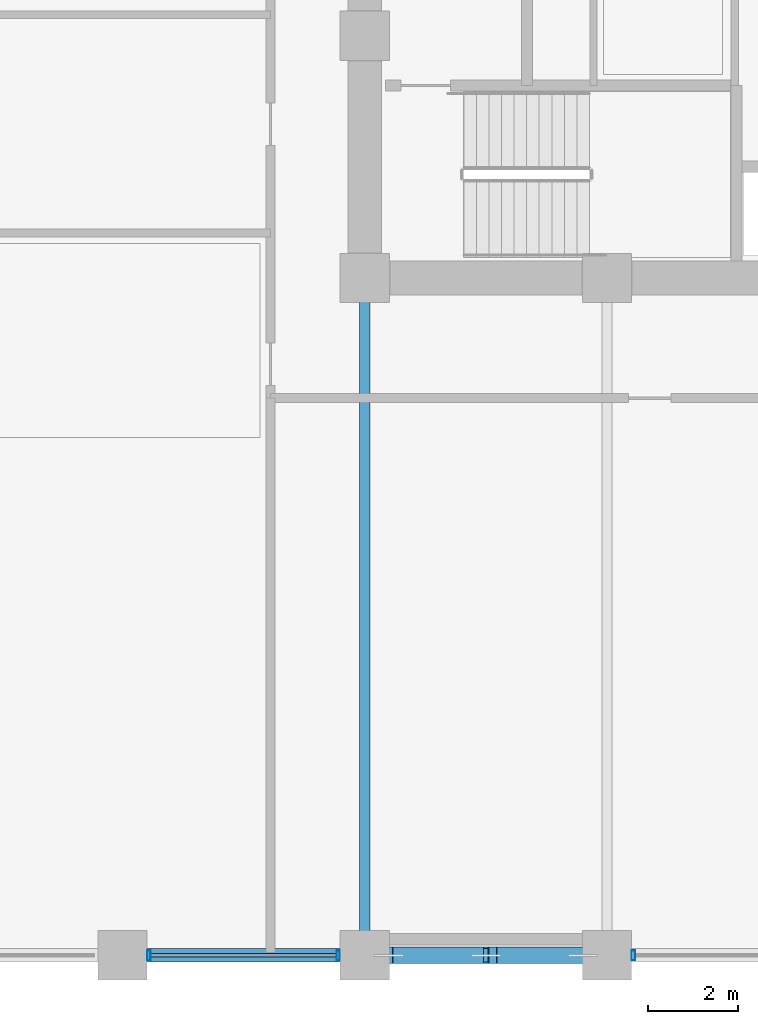
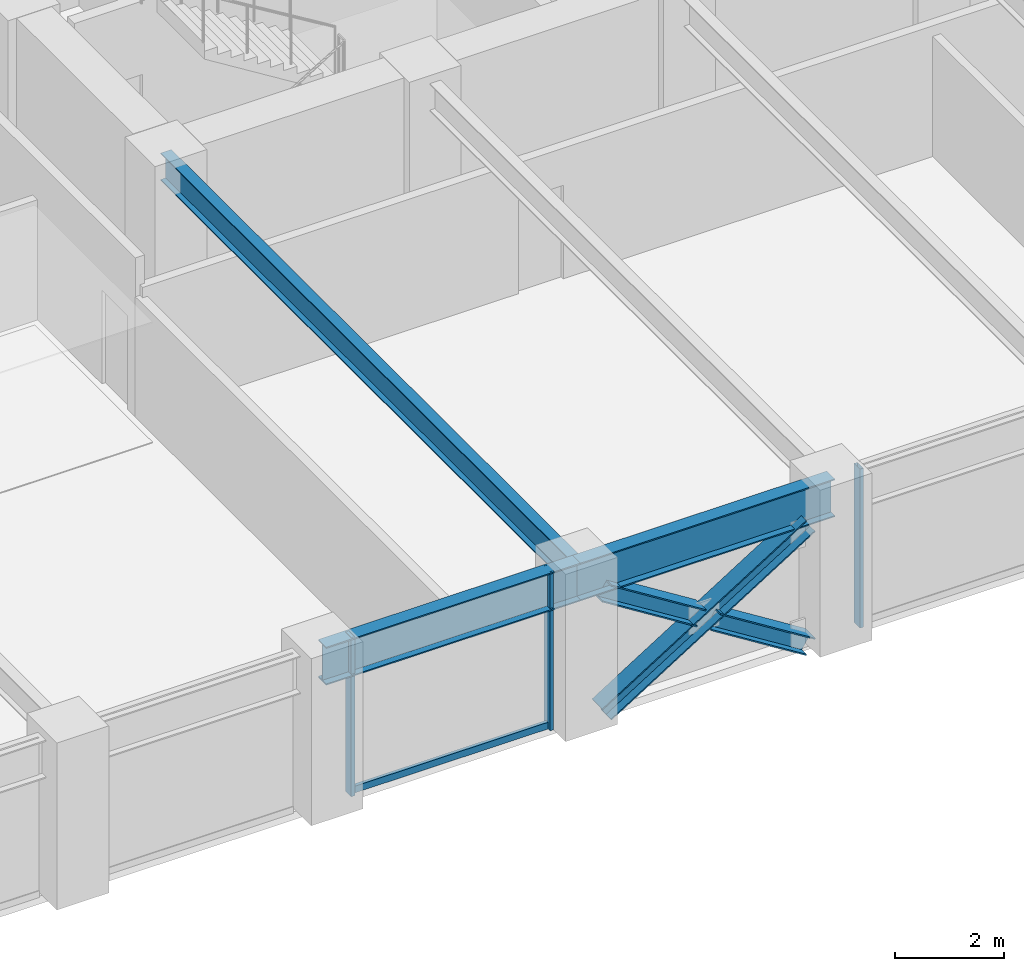
# One storey, part 4 of 25: 7 members, 3 beams, 2 elements without a shape of their own.
"""IFC4 building model written with IfcOpenShell, lengths in metres."""

import ifcopenshell
import ifcopenshell.guid

model = None  # the IFC model being written
_history = None  # IfcOwnerHistory: only IFC2X3 demands one
_inside = {}  # id of a spatial element -> (the spatial element, [elements in it])
_under = {}  # id of a project, library or spatial element -> (it, [spatial elements below it])
_declared = {}  # id of a project -> (the project, [libraries it declares])
_typed = {}  # id of a type object -> (the type object, [elements of that type])
_made_of = {}  # id of a material, layer set ... -> (it, [elements and type objects made of it])


def new_model(schema):
    """Start an empty IFC model of exactly this schema.

    Asked for "IFC4X3", IfcOpenShell would pick the latest addendum, in which some entities
    have other attributes; the version numbers below select the first issue.
    IFC2X3 requires an IfcOwnerHistory on every rooted entity: one is made here for all.
    """
    global model, _history
    if schema == "IFC4X3":
        model = ifcopenshell.file(schema_version=(4, 3, 0, 0))
    else:
        model = ifcopenshell.file(schema=schema)
    _inside.clear()
    _under.clear()
    _declared.clear()
    _typed.clear()
    _made_of.clear()
    _history = None
    if model.schema == "IFC2X3":
        org = make("IfcOrganization", Name="unknown")
        user = make(
            "IfcPersonAndOrganization",
            ThePerson=make("IfcPerson", FamilyName="unknown"),
            TheOrganization=org,
        )
        app = make(
            "IfcApplication",
            ApplicationDeveloper=org,
            Version="unknown",
            ApplicationFullName="unknown",
            ApplicationIdentifier="unknown",
        )
        _history = make(
            "IfcOwnerHistory",
            OwningUser=user,
            OwningApplication=app,
            ChangeAction="ADDED",
            CreationDate=0,
        )
    return model


def make(cls, **values):
    """One entity of the class cls with the attributes given. An attribute that is None is left unset."""
    return model.create_entity(
        cls, **{name: value for name, value in values.items() if value is not None}
    )


def rooted(cls, **values):
    """An entity with a GlobalId (a new one), such as an element, a storey or a relation."""
    return make(cls, GlobalId=ifcopenshell.guid.new(), OwnerHistory=_history, **values)


def si_unit(unit_type, name, prefix=None):
    """IfcSIUnit, for example si_unit("LENGTHUNIT", "METRE", prefix="MILLI")."""
    return make("IfcSIUnit", UnitType=unit_type, Prefix=prefix, Name=name)


def assignment(units):
    """IfcUnitAssignment: the units of a project."""
    return None if units is None else make("IfcUnitAssignment", Units=units)


def point(xyz):
    """IfcCartesianPoint."""
    return None if xyz is None else make("IfcCartesianPoint", Coordinates=xyz)


def direction(xyz):
    """IfcDirection."""
    return None if xyz is None else make("IfcDirection", DirectionRatios=xyz)


def frame(location, z_axis=None, x_axis=None):
    """IfcAxis2Placement3D, a coordinate frame: its origin and axes. An axis left out is left unset."""
    return make(
        "IfcAxis2Placement3D",
        Location=point(location),
        Axis=direction(z_axis),
        RefDirection=direction(x_axis),
    )


def frame_2d(location, x_axis=None):
    """IfcAxis2Placement2D, a coordinate frame in the plane: its origin and x axis."""
    return make(
        "IfcAxis2Placement2D", Location=point(location), RefDirection=direction(x_axis)
    )


def origin():
    """The frame at (0, 0, 0) with its axes left unset."""
    return frame((0.0, 0.0, 0.0))


def origin_2d():
    """The frame at (0, 0) in the plane with its x axis left unset."""
    return frame_2d((0.0, 0.0))


def place(relative_to, where):
    """IfcLocalPlacement: puts the frame where relative to a parent placement (None: the world)."""
    return make(
        "IfcLocalPlacement", PlacementRelTo=relative_to, RelativePlacement=where
    )


def context(
    kind, dimensions, precision=None, world=None, true_north=None, identifier=None
):
    """IfcGeometricRepresentationContext, for example the 3D "Model" context."""
    return make(
        "IfcGeometricRepresentationContext",
        ContextIdentifier=identifier,
        ContextType=kind,
        CoordinateSpaceDimension=dimensions,
        Precision=precision,
        WorldCoordinateSystem=world,
        TrueNorth=true_north,
    )


def subcontext(parent, identifier, kind, view, scale=None):
    """IfcGeometricRepresentationSubContext, for example "Body" below "Model"."""
    return make(
        "IfcGeometricRepresentationSubContext",
        ContextIdentifier=identifier,
        ContextType=kind,
        ParentContext=parent,
        TargetScale=scale,
        TargetView=view,
    )


def project(units=None, contexts=None):
    """IfcProject with its units and contexts."""
    return rooted(
        "IfcProject",
        Name="project",
        RepresentationContexts=contexts,
        UnitsInContext=assignment(units),
    )


def spatial(cls, under=None, at=None, **own):
    """A site, building, storey or space (cls), placed at a placement, below another one or the project."""
    s = rooted(cls, ObjectPlacement=at, **own)
    if under is not None:
        _under.setdefault(under.id(), (under, []))[1].append(s)
    return s


def profile(cls, at=None, kind="AREA", **sizes):
    """A parametric profile (cls). Its sizes go by their IFC names, for example OverallWidth=200.0."""
    return make(cls, ProfileType=kind, Position=at, **sizes)


def hollow_rectangle(**sizes):
    """IfcRectangleHollowProfileDef."""
    return profile("IfcRectangleHollowProfileDef", **sizes)


def i_section(**sizes):
    """IfcIShapeProfileDef."""
    return profile("IfcIShapeProfileDef", **sizes)


def extrude(swept, where, along, depth):
    """IfcExtrudedAreaSolid: the profile swept, set in the frame where, extruded along a direction by depth."""
    return make(
        "IfcExtrudedAreaSolid",
        SweptArea=swept,
        Position=where,
        ExtrudedDirection=direction(along),
        Depth=depth,
    )


def shape(context_of_items, identifier, shape_type, items):
    """IfcShapeRepresentation: the items that make up one representation, for example the "Body"."""
    return make(
        "IfcShapeRepresentation",
        ContextOfItems=context_of_items,
        RepresentationIdentifier=identifier,
        RepresentationType=shape_type,
        Items=items,
    )


def material(Name=None, Category=None):
    """IfcMaterial."""
    return make("IfcMaterial", Name=Name, Category=Category)


def layer(
    of_material, thickness, ventilated=None, Name=None, Category=None, Priority=None
):
    """IfcMaterialLayer: one layer of a wall or slab, of a material (None: an air gap)."""
    return make(
        "IfcMaterialLayer",
        Material=of_material,
        LayerThickness=thickness,
        IsVentilated=ventilated,
        Name=Name,
        Category=Category,
        Priority=Priority,
    )


def layer_set(layers, Name=None):
    """IfcMaterialLayerSet."""
    return make("IfcMaterialLayerSet", MaterialLayers=layers, LayerSetName=Name)


def material_profile(
    of_material, cross_section, Name=None, Category=None, Priority=None
):
    """IfcMaterialProfile: a cross section and its material."""
    return make(
        "IfcMaterialProfile",
        Name=Name,
        Material=of_material,
        Profile=cross_section,
        Priority=Priority,
        Category=Category,
    )


def profile_set(profiles, Name=None, composite=None):
    """IfcMaterialProfileSet."""
    return make(
        "IfcMaterialProfileSet",
        Name=Name,
        MaterialProfiles=profiles,
        CompositeProfile=composite,
    )


def made_of(thing, what):
    """Note that an element or type object is made of a material, layer set ...; save() writes the relation."""
    if what is not None:
        _made_of.setdefault(what.id(), (what, []))[1].append(thing)
    return thing


def type_object(cls, material=None, **own):
    """A type object (cls), such as IfcWallType, which elements share."""
    return made_of(rooted(cls, **own), material)


def element(
    cls,
    number,
    at=None,
    inside=None,
    cuts=None,
    type_object=None,
    material=None,
    context=None,
    identifier="Body",
    shape_type=None,
    held_by="IfcProductDefinitionShape",
    body=None,
    shapes=None,
    **own,
):
    """One element of the class cls, such as IfcWall. Its Tag is "e" and its number.

    at: its placement. inside: the storey or other place that contains it. cuts: it is an
    opening in that element (IfcRelVoidsElement). A single representation is given by context,
    identifier, shape_type and body (its items); several are given by shapes. held_by: the class
    of the entity that holds the representations. save() writes the other relations.
    """
    e = rooted(cls, Tag="e%d" % number, ObjectPlacement=at, **own)
    if body is not None:
        shapes = [shape(context, identifier, shape_type, body)]
    if shapes is not None:
        e.Representation = make(held_by, Representations=shapes)
    if inside is not None:
        _inside.setdefault(inside.id(), (inside, []))[1].append(e)
    if cuts is not None:
        rooted(
            "IfcRelVoidsElement", RelatingBuildingElement=cuts, RelatedOpeningElement=e
        )
    if type_object is not None:
        _typed.setdefault(type_object.id(), (type_object, []))[1].append(e)
    return made_of(e, material)


def aggregate(whole, parts):
    """IfcRelAggregates: a whole, such as a stair, and the parts it consists of."""
    return rooted("IfcRelAggregates", RelatingObject=whole, RelatedObjects=parts)


def save(model, path):
    """Write the relations noted so far, then the file.

    IfcRelAggregates (storeys below a building ...), IfcRelContainedInSpatialStructure (elements
    in a storey), IfcRelDefinesByType, IfcRelAssociatesMaterial and IfcRelDeclares: one each for
    every whole, place, type object, material and project.
    """
    for whole, parts in _under.values():
        aggregate(whole, parts)
    for where, things in _inside.values():
        rooted(
            "IfcRelContainedInSpatialStructure",
            RelatedElements=things,
            RelatingStructure=where,
        )
    for kind, things in _typed.values():
        rooted("IfcRelDefinesByType", RelatedObjects=things, RelatingType=kind)
    for what, things in _made_of.values():
        rooted("IfcRelAssociatesMaterial", RelatedObjects=things, RelatingMaterial=what)
    for by, libraries in _declared.values():
        rooted("IfcRelDeclares", RelatingContext=by, RelatedDefinitions=libraries)
    model.write(path)


model = new_model("IFC4")

# Units and contexts
model_context = context("Model", 3, precision=1e-05, world=origin(), true_north=direction((0.0, 1.0)))
body_context = subcontext(model_context, "Body", "Model", "MODEL_VIEW")
ifc_project = project(units=[si_unit("LENGTHUNIT", "METRE"), si_unit("AREAUNIT", "SQUARE_METRE"), si_unit("VOLUMEUNIT", "CUBIC_METRE"), si_unit("PLANEANGLEUNIT", "RADIAN"), si_unit("MASSUNIT", "GRAM", prefix="KILO")], contexts=[model_context])

# Site, building, storey
site_placement = place(None, origin())
site = spatial("IfcSite", under=ifc_project, at=site_placement, CompositionType="ELEMENT")
building_placement = place(site_placement, origin())
building = spatial("IfcBuilding", under=site, at=building_placement, Name="Surkhivell Harbour Commons", CompositionType="ELEMENT")
storey_placement = place(building_placement, frame((0.0, 0.0, 113.25)))
storey = spatial("IfcBuildingStorey", under=building, at=storey_placement, Name="L29", CompositionType="ELEMENT", Elevation=113.25)

# Beams
ifc_material_1 = material(Name="Steel S355", Category="steel")
ifc_material_profile_1 = material_profile(ifc_material_1, i_section(OverallWidth=0.22998046875, OverallDepth=0.616943359375, WebThickness=0.01318359375, FlangeThickness=0.022216796875, at=origin_2d()), Name="UB610x229x140")
ifc_profile_set_1 = profile_set([ifc_material_profile_1], Name="Steel S355")
beam_type_1 = type_object("IfcBeamType", Name="BM-GRD-610B", PredefinedType="BEAM", material=ifc_profile_set_1)
beam_1_placement = place(storey_placement, frame((-10.800048828125, -25.89990234375, 3.261474609375), z_axis=(0.0, 1.0, 0.0), x_axis=(-1.0, 0.0, 0.0)))
element("IfcBeam", 1, at=beam_1_placement, inside=storey, type_object=beam_type_1, Name="L29 Floor Girder (-10.8,-25.9)", PredefinedType="BEAM", context=body_context, shape_type="SweptSolid", body=[
    extrude(i_section(OverallWidth=0.22998046875, OverallDepth=0.616943359375, WebThickness=0.01318359375, FlangeThickness=0.022216796875, at=origin_2d()), origin(), (0.0, 0.0, 1.0), 15.099853515625),
])
ifc_material_2 = material(Name="Steel S460", Category="steel")
ifc_material_profile_2 = material_profile(ifc_material_2, i_section(OverallWidth=0.2939453125, OverallDepth=0.85107421875, WebThickness=0.01611328125, FlangeThickness=0.02685546875, at=origin_2d()), Name="UB838x292x226")
ifc_profile_set_2 = profile_set([ifc_material_profile_2], Name="Steel S460")
beam_type_2 = type_object("IfcBeamType", Name="BM-SPN-838", PredefinedType="SPANDREL", material=ifc_profile_set_2)
beam_2_placement = place(storey_placement, frame((-16.199951171875, -25.89990234375, 3.14453125), z_axis=(1.0, 0.0, 0.0), x_axis=(0.0, 1.0, 0.0)))
element("IfcBeam", 2, at=beam_2_placement, inside=storey, type_object=beam_type_2, Name="L29 Tube Spandrel (-16.2,-25.9)", PredefinedType="SPANDREL", context=body_context, shape_type="SweptSolid", body=[
    extrude(i_section(OverallWidth=0.2939453125, OverallDepth=0.85107421875, WebThickness=0.01611328125, FlangeThickness=0.02685546875, at=origin_2d()), origin(), (0.0, 0.0, 1.0), 5.39990234375),
])
beam_3_placement = place(storey_placement, frame((-10.800048828125, -25.89990234375, 3.14453125), z_axis=(1.0, 0.0, 0.0), x_axis=(0.0, 1.0, 0.0)))
element("IfcBeam", 3, at=beam_3_placement, inside=storey, type_object=beam_type_2, Name="L29 Tube Spandrel (-10.8,-25.9)", PredefinedType="SPANDREL", context=body_context, shape_type="SweptSolid", body=[
    extrude(i_section(OverallWidth=0.2939453125, OverallDepth=0.85107421875, WebThickness=0.01611328125, FlangeThickness=0.02685546875, at=origin_2d()), origin(), (0.0, 0.0, 1.0), 5.400146484375),
])

# Curtain wall, members
ifc_material_3 = material(Name="Anodised pale-metal aluminium and insulated glazing", Category="aluminium")
ifc_layer = layer(ifc_material_3, 0.205078125)
ifc_layer_set = layer_set([ifc_layer], Name="Anodised pale-metal aluminium and insulated glazing")
curtain_wall_type = type_object("IfcCurtainWallType", Name="CW-SYS-Z2", PredefinedType="NOTDEFINED", material=ifc_layer_set)
curtain_wall_1_placement = place(storey_placement, origin())
curtain_wall_1 = element("IfcCurtainWall", 4, at=curtain_wall_1_placement, inside=storey, type_object=curtain_wall_type, Name="L29 Curtain Wall CW-L29-E00S1", PredefinedType="NOTDEFINED")
ifc_material_4 = material(Name="Anodised pale-metal aluminium alloy 6063-T6", Category="aluminium")
ifc_material_profile_3 = material_profile(ifc_material_4, hollow_rectangle(XDim=0.074951171875, YDim=0.219970703125, WallThickness=0.00390625, at=origin_2d()), Name="ALU-MULL-75x220")
ifc_profile_set_3 = profile_set([ifc_material_profile_3], Name="Anodised pale-metal aluminium alloy 6063-T6")
member_type_1 = type_object("IfcMemberType", Name="CWM-220", PredefinedType="MULLION", material=ifc_profile_set_3)
member_1_placement = place(storey_placement, frame((-15.610595703125, -25.89990234375, 0.0), z_axis=(0.0, 0.0, 1.0), x_axis=(1.0, 0.0, 0.0)))
member_1 = element("IfcMember", 5, at=member_1_placement, type_object=member_type_1, Name="CW-Z2 mullion 3", PredefinedType="MULLION", context=body_context, shape_type="SweptSolid", body=[
    extrude(hollow_rectangle(XDim=0.074951171875, YDim=0.219970703125, WallThickness=0.00390625, at=origin_2d()), origin(), (0.0, 0.0, 1.0), 3.570068359375),
])
member_2_placement = place(storey_placement, frame((-11.389404296875, -25.89990234375, 0.0), z_axis=(0.0, 0.0, 1.0), x_axis=(1.0, 0.0, 0.0)))
member_2 = element("IfcMember", 6, at=member_2_placement, type_object=member_type_1, Name="CW-Z2 mullion 4", PredefinedType="MULLION", context=body_context, shape_type="SweptSolid", body=[
    extrude(hollow_rectangle(XDim=0.074951171875, YDim=0.219970703125, WallThickness=0.00390625, at=origin_2d()), origin(), (0.0, 0.0, 1.0), 3.570068359375),
])

# Curtain wall, member
curtain_wall_2_placement = place(storey_placement, origin())
curtain_wall_2 = element("IfcCurtainWall", 7, at=curtain_wall_2_placement, inside=storey, type_object=curtain_wall_type, Name="L29 Curtain Wall CW-L29-E00S2", PredefinedType="NOTDEFINED")
member_3_placement = place(storey_placement, frame((-4.810546875, -25.89990234375, 0.0), z_axis=(0.0, 0.0, 1.0), x_axis=(1.0, 0.0, 0.0)))
member_3 = element("IfcMember", 8, at=member_3_placement, type_object=member_type_1, Name="CW-Z2 mullion 1", PredefinedType="MULLION", context=body_context, shape_type="SweptSolid", body=[
    extrude(hollow_rectangle(XDim=0.074951171875, YDim=0.219970703125, WallThickness=0.00390625, at=origin_2d()), origin(), (0.0, 0.0, 1.0), 3.570068359375),
])
aggregate(curtain_wall_2, [member_3])

# Member
ifc_material_profile_4 = material_profile(ifc_material_4, hollow_rectangle(XDim=0.074951171875, YDim=0.14990234375, WallThickness=0.00341796875, at=origin_2d()), Name="ALU-TRAN-75x150")
ifc_profile_set_4 = profile_set([ifc_material_profile_4], Name="Anodised pale-metal aluminium alloy 6063-T6")
member_type_2 = type_object("IfcMemberType", Name="CWT-150", PredefinedType="USERDEFINED", material=ifc_profile_set_4)
member_4_placement = place(storey_placement, frame((-15.572998046875, -25.89990234375, 0.074951171875), z_axis=(1.0, 0.0, 0.0), x_axis=(0.0, 1.0, 0.0)))
member_4 = element("IfcMember", 9, at=member_4_placement, type_object=member_type_2, Name="CW-Z2 transom 3.1", ObjectType="TRANSOM", PredefinedType="USERDEFINED", context=body_context, shape_type="SweptSolid", body=[
    extrude(hollow_rectangle(XDim=0.074951171875, YDim=0.14990234375, WallThickness=0.00341796875, at=origin_2d()), origin(), (0.0, 0.0, 1.0), 4.14599609375),
])

aggregate(curtain_wall_1, [member_1, member_2, member_4])

# Members
ifc_material_profile_5 = material_profile(ifc_material_2, i_section(OverallWidth=0.375, OverallDepth=0.375, WebThickness=0.0166015625, FlangeThickness=0.027099609375, at=origin_2d()), Name="UC356x368x202")
ifc_profile_set_5 = profile_set([ifc_material_profile_5], Name="Steel S460")
member_type_3 = type_object("IfcMemberType", Name="MEM-BRC-UC356", PredefinedType="BRACE", material=ifc_profile_set_5)
member_5_placement = place(storey_placement, frame((-10.264892578125, -25.89990234375, 0.008056640625), z_axis=(0.847232535652, 0.0, 0.53122220448), x_axis=(0.0, 1.0, 0.0)))
element("IfcMember", 10, at=member_5_placement, inside=storey, type_object=member_type_3, Name="L29 Perimeter Mega-Brace MB- 07", PredefinedType="BRACE", context=body_context, shape_type="SweptSolid", body=[
    extrude(i_section(OverallWidth=0.375, OverallDepth=0.375, WebThickness=0.0166015625, FlangeThickness=0.027099609375, at=origin_2d()), origin(), (0.0, 0.0, 1.0), 5.110595703125),
])
member_6_placement = place(storey_placement, frame((-5.93505859375, -25.89990234375, 0.008056640625), z_axis=(-0.847206308526, 0.0, 0.53126403115), x_axis=(0.0, -1.0, 0.0)))
element("IfcMember", 11, at=member_6_placement, inside=storey, type_object=member_type_3, Name="L29 Perimeter Mega-Brace MB- 08", PredefinedType="BRACE", context=body_context, shape_type="SweptSolid", body=[
    extrude(i_section(OverallWidth=0.375, OverallDepth=0.375, WebThickness=0.0166015625, FlangeThickness=0.027099609375, at=origin_2d()), origin(), (0.0, 0.0, 1.0), 2.37548828125),
])
member_7_placement = place(storey_placement, frame((-8.25244140625, -25.89990234375, 1.461181640625), z_axis=(-0.84725256761, 0.0, 0.53119025469), x_axis=(0.0, -1.0, 0.0)))
element("IfcMember", 12, at=member_7_placement, inside=storey, type_object=member_type_3, Name="L29 Perimeter Mega-Brace MB- 09", PredefinedType="BRACE", context=body_context, shape_type="SweptSolid", body=[
    extrude(i_section(OverallWidth=0.375, OverallDepth=0.375, WebThickness=0.0166015625, FlangeThickness=0.027099609375, at=origin_2d()), origin(), (0.0, 0.0, 1.0), 2.375244140625),
])

save(model, "model.ifc")
